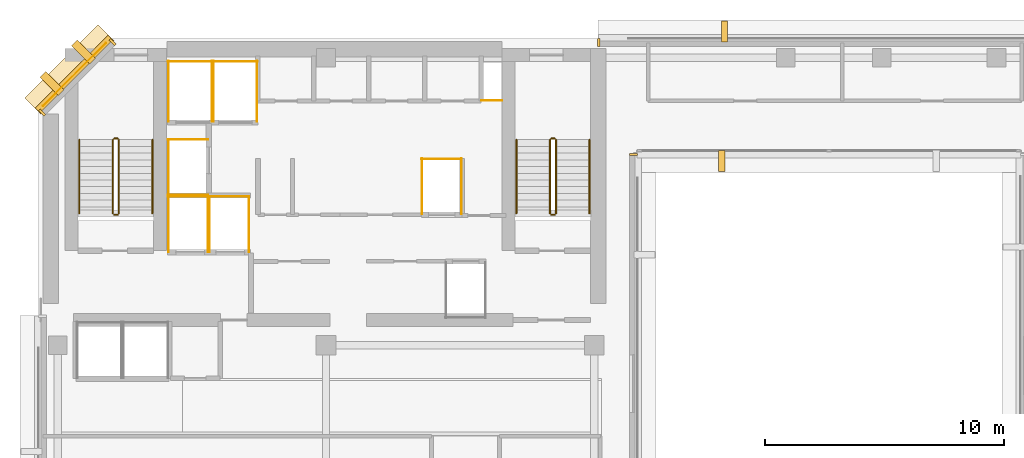
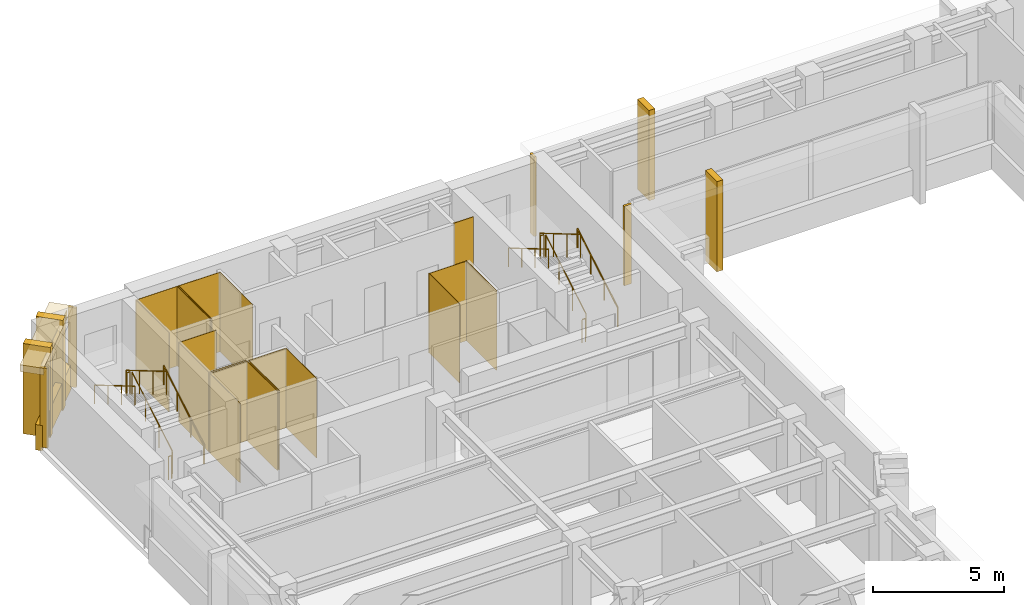
# One storey, part 10 of 11: 30 coverings, 12 railings.
"""IFC4 building model written with IfcOpenShell, lengths in metres."""

from ifc_helpers import new_model, si_unit, direction, frame, origin, origin_2d, place, context, subcontext, project, spatial, polyline, rectangle, circle, outline, extrude, material, layer, layer_set, type_object, element, save


model = new_model("IFC4")

# Units and contexts
model_context = context("Model", 3, precision=1e-05, world=origin(), true_north=direction((0.0, 1.0)))
body_context = subcontext(model_context, "Body", "Model", "MODEL_VIEW")
ifc_project = project(units=[si_unit("LENGTHUNIT", "METRE"), si_unit("AREAUNIT", "SQUARE_METRE"), si_unit("VOLUMEUNIT", "CUBIC_METRE"), si_unit("PLANEANGLEUNIT", "RADIAN"), si_unit("MASSUNIT", "GRAM", prefix="KILO")], contexts=[model_context])

# Site, building, storey
site_placement = place(None, origin())
site = spatial("IfcSite", under=ifc_project, at=site_placement, CompositionType="ELEMENT")
building_placement = place(site_placement, origin())
building = spatial("IfcBuilding", under=site, at=building_placement, Name="Kefirva Bronze Tower", CompositionType="ELEMENT")
storey_placement = place(building_placement, frame((0.0, 0.0, 227.699951171875)))
storey = spatial("IfcBuildingStorey", under=building, at=storey_placement, Name="L55", CompositionType="ELEMENT", Elevation=227.699951171875)

# Coverings
ifc_material_1 = material(Name="Bronze anodised aluminium", Category="aluminium")
ifc_layer_1 = layer(ifc_material_1, 0.02001953125, Name="Bronze anodised aluminium")
ifc_layer_set_1 = layer_set([ifc_layer_1], Name="Bronze anodised aluminium")
covering_type_1 = type_object("IfcCoveringType", Name="Anodised Bronze Spandrel Cladding 20mm", PredefinedType="CLADDING", material=ifc_layer_set_1)
for number, where, z_axis, x_axis, name in (
    (1, (24.840087890625, 41.1650390625, 0.0), (0.0, 0.0, 1.0), (0.0, 1.0, 0.0), "L55 Facade Joint Closure Panel 4E"),
    (2, (23.385009765625, 45.840087890625, 0.0), (0.0, 0.0, 1.0), (-1.0, 0.0, 0.0), "L55 Facade Joint Closure Panel 11E"),
):
    element("IfcCovering", number, at=place(storey_placement, frame(where, z_axis=z_axis, x_axis=x_axis)), inside=storey, type_object=covering_type_1, Name=name, PredefinedType="CLADDING", context=body_context, shape_type="SweptSolid", body=[
        extrude(rectangle(XDim=0.10009765625, YDim=0.320068359375, at=origin_2d()), origin(), (0.0, 0.0, 1.0), 3.7099609375),
    ])
covering_1_placement = place(storey_placement, frame((1.492919921875, 44.507080078125, 3.2900390625), z_axis=(0.0, 0.0, 1.0), x_axis=(-0.707106781187, -0.707106781187, 0.0)))
element("IfcCovering", 3, at=covering_1_placement, inside=storey, type_object=covering_type_1, Name="L55 Bronze Spandrel Cladding 12", PredefinedType="CLADDING", context=body_context, shape_type="SweptSolid", body=[
    extrude(rectangle(XDim=3.719482421875, YDim=0.02001953125, at=origin_2d()), origin(), (0.0, 0.0, 1.0), 0.39990234375),
])
for number, where, z_axis, x_axis, name in (
    (4, (3.08837890625, 45.862060546875, 0.0), (0.0, 0.0, 1.0), (-0.707106781187, -0.707106781187, 0.0), "L55 Facade Joint Closure Panel 12S"),
    (5, (0.137939453125, 42.91162109375, 0.0), (0.0, 0.0, 1.0), (-0.707106781187, -0.707106781187, 0.0), "L55 Facade Joint Closure Panel 12E"),
):
    element("IfcCovering", number, at=place(storey_placement, frame(where, z_axis=z_axis, x_axis=x_axis)), inside=storey, type_object=covering_type_1, Name=name, PredefinedType="CLADDING", context=body_context, shape_type="SweptSolid", body=[
        extrude(rectangle(XDim=0.10009765625, YDim=0.320068359375, at=origin_2d()), origin(), (0.0, 0.0, 1.0), 3.7099609375),
    ])
covering_2_placement = place(storey_placement, frame((1.4716796875, 44.5283203125, -0.16015625), z_axis=(0.0, 0.0, 1.0), x_axis=(-0.707106781187, -0.707106781187, 0.0)))
element("IfcCovering", 6, at=covering_2_placement, inside=storey, type_object=covering_type_1, Name="L55 Streamline Horizontal Spandrel Band 14", PredefinedType="CLADDING", context=body_context, shape_type="SweptSolid", body=[
    extrude(rectangle(XDim=4.28271484375, YDim=0.280029296875, at=origin_2d()), origin(), (0.0, 0.0, 1.0), 1.179931640625),
])
covering_3_placement = place(storey_placement, origin())
element("IfcCovering", 7, at=covering_3_placement, inside=storey, type_object=covering_type_1, Name="L55 Lift FF1 Hoistway Liner N", PredefinedType="CLADDING", context=body_context, shape_type="SweptSolid", body=[
    extrude(outline(polyline([(5.39990234375, 39.389892578125), (7.080078125, 39.389892578125), (7.080078125, 39.409912109375), (5.39990234375, 39.409912109375), (5.39990234375, 39.389892578125)])), origin(), (0.0, 0.0, 1.0), 3.7099609375),
])
covering_4_placement = place(storey_placement, origin())
element("IfcCovering", 8, at=covering_4_placement, inside=storey, type_object=covering_type_1, Name="L55 Lift FF1 Hoistway Liner W", PredefinedType="CLADDING", context=body_context, shape_type="SweptSolid", body=[
    extrude(outline(polyline([(5.409912109375, 37.080078125), (5.429931640625, 37.080078125), (5.429931640625, 39.419921875), (5.409912109375, 39.419921875), (5.409912109375, 37.080078125)])), origin(), (0.0, 0.0, 1.0), 3.7099609375),
])
covering_5_placement = place(storey_placement, origin())
element("IfcCovering", 9, at=covering_5_placement, inside=storey, type_object=covering_type_1, Name="L55 Lift FF1 Hoistway Liner E", PredefinedType="CLADDING", context=body_context, shape_type="SweptSolid", body=[
    extrude(outline(polyline([(7.050048828125, 37.080078125), (7.070068359375, 37.080078125), (7.070068359375, 39.419921875), (7.050048828125, 39.419921875), (7.050048828125, 37.080078125)])), origin(), (0.0, 0.0, 1.0), 3.7099609375),
])
covering_6_placement = place(storey_placement, origin())
element("IfcCovering", 10, at=covering_6_placement, inside=storey, type_object=covering_type_1, Name="L55 Lift FF2 Hoistway Liner N", PredefinedType="CLADDING", context=body_context, shape_type="SweptSolid", body=[
    extrude(outline(polyline([(7.1201171875, 39.389892578125), (8.800048828125, 39.389892578125), (8.800048828125, 39.409912109375), (7.1201171875, 39.409912109375), (7.1201171875, 39.389892578125)])), origin(), (0.0, 0.0, 1.0), 3.7099609375),
])
covering_7_placement = place(storey_placement, origin())
element("IfcCovering", 11, at=covering_7_placement, inside=storey, type_object=covering_type_1, Name="L55 Lift FF2 Hoistway Liner W", PredefinedType="CLADDING", context=body_context, shape_type="SweptSolid", body=[
    extrude(outline(polyline([(7.1298828125, 37.080078125), (7.14990234375, 37.080078125), (7.14990234375, 39.419921875), (7.1298828125, 39.419921875), (7.1298828125, 37.080078125)])), origin(), (0.0, 0.0, 1.0), 3.7099609375),
])
covering_8_placement = place(storey_placement, origin())
element("IfcCovering", 12, at=covering_8_placement, inside=storey, type_object=covering_type_1, Name="L55 Lift FF2 Hoistway Liner E", PredefinedType="CLADDING", context=body_context, shape_type="SweptSolid", body=[
    extrude(outline(polyline([(8.77001953125, 37.080078125), (8.7900390625, 37.080078125), (8.7900390625, 39.419921875), (8.77001953125, 39.419921875), (8.77001953125, 37.080078125)])), origin(), (0.0, 0.0, 1.0), 3.7099609375),
])
covering_9_placement = place(storey_placement, origin())
element("IfcCovering", 13, at=covering_9_placement, inside=storey, type_object=covering_type_1, Name="L55 Lift SV1 Hoistway Liner N", PredefinedType="CLADDING", context=body_context, shape_type="SweptSolid", body=[
    extrude(outline(polyline([(5.39990234375, 45.0400390625), (7.260009765625, 45.0400390625), (7.260009765625, 45.06005859375), (5.39990234375, 45.06005859375), (5.39990234375, 45.0400390625)])), origin(), (0.0, 0.0, 1.0), 3.7099609375),
])
covering_10_placement = place(storey_placement, origin())
element("IfcCovering", 14, at=covering_10_placement, inside=storey, type_object=covering_type_1, Name="L55 Lift SV1 Hoistway Liner W", PredefinedType="CLADDING", context=body_context, shape_type="SweptSolid", body=[
    extrude(outline(polyline([(5.409912109375, 42.530029296875), (5.429931640625, 42.530029296875), (5.429931640625, 45.070068359375), (5.409912109375, 45.070068359375), (5.409912109375, 42.530029296875)])), origin(), (0.0, 0.0, 1.0), 3.7099609375),
])
covering_11_placement = place(storey_placement, origin())
element("IfcCovering", 15, at=covering_11_placement, inside=storey, type_object=covering_type_1, Name="L55 Lift SV1 Hoistway Liner E", PredefinedType="CLADDING", context=body_context, shape_type="SweptSolid", body=[
    extrude(outline(polyline([(7.22998046875, 42.530029296875), (7.25, 42.530029296875), (7.25, 45.070068359375), (7.22998046875, 45.070068359375), (7.22998046875, 42.530029296875)])), origin(), (0.0, 0.0, 1.0), 3.7099609375),
])
covering_12_placement = place(storey_placement, origin())
element("IfcCovering", 16, at=covering_12_placement, inside=storey, type_object=covering_type_1, Name="L55 Lift SV2 Hoistway Liner N", PredefinedType="CLADDING", context=body_context, shape_type="SweptSolid", body=[
    extrude(outline(polyline([(7.280029296875, 45.0400390625), (9.139892578125, 45.0400390625), (9.139892578125, 45.06005859375), (7.280029296875, 45.06005859375), (7.280029296875, 45.0400390625)])), origin(), (0.0, 0.0, 1.0), 3.7099609375),
])
covering_13_placement = place(storey_placement, origin())
element("IfcCovering", 17, at=covering_13_placement, inside=storey, type_object=covering_type_1, Name="L55 Lift SV2 Hoistway Liner W", PredefinedType="CLADDING", context=body_context, shape_type="SweptSolid", body=[
    extrude(outline(polyline([(7.2900390625, 42.530029296875), (7.31005859375, 42.530029296875), (7.31005859375, 45.070068359375), (7.2900390625, 45.070068359375), (7.2900390625, 42.530029296875)])), origin(), (0.0, 0.0, 1.0), 3.7099609375),
])
covering_14_placement = place(storey_placement, origin())
element("IfcCovering", 18, at=covering_14_placement, inside=storey, type_object=covering_type_1, Name="L55 Lift SV2 Hoistway Liner E", PredefinedType="CLADDING", context=body_context, shape_type="SweptSolid", body=[
    extrude(outline(polyline([(9.110107421875, 42.530029296875), (9.1298828125, 42.530029296875), (9.1298828125, 45.070068359375), (9.110107421875, 45.070068359375), (9.110107421875, 42.530029296875)])), origin(), (0.0, 0.0, 1.0), 3.7099609375),
])
covering_15_placement = place(storey_placement, origin())
element("IfcCovering", 19, at=covering_15_placement, inside=storey, type_object=covering_type_1, Name="L55 Lift HP2 Hoistway Liner N", PredefinedType="CLADDING", context=body_context, shape_type="SweptSolid", body=[
    extrude(outline(polyline([(15.97998046875, 40.969970703125), (17.669921875, 40.969970703125), (17.669921875, 40.989990234375), (15.97998046875, 40.989990234375), (15.97998046875, 40.969970703125)])), origin(), (0.0, 0.0, 1.0), 3.7099609375),
])
covering_16_placement = place(storey_placement, origin())
element("IfcCovering", 20, at=covering_16_placement, inside=storey, type_object=covering_type_1, Name="L55 Lift HP2 Hoistway Liner W", PredefinedType="CLADDING", context=body_context, shape_type="SweptSolid", body=[
    extrude(outline(polyline([(15.989990234375, 38.659912109375), (16.010009765625, 38.659912109375), (16.010009765625, 41.0), (15.989990234375, 41.0), (15.989990234375, 38.659912109375)])), origin(), (0.0, 0.0, 1.0), 3.7099609375),
])
covering_17_placement = place(storey_placement, origin())
element("IfcCovering", 21, at=covering_17_placement, inside=storey, type_object=covering_type_1, Name="L55 Lift HP2 Hoistway Liner E", PredefinedType="CLADDING", context=body_context, shape_type="SweptSolid", body=[
    extrude(outline(polyline([(17.639892578125, 38.659912109375), (17.659912109375, 38.659912109375), (17.659912109375, 41.0), (17.639892578125, 41.0), (17.639892578125, 38.659912109375)])), origin(), (0.0, 0.0, 1.0), 3.7099609375),
])
covering_18_placement = place(storey_placement, origin())
element("IfcCovering", 22, at=covering_18_placement, inside=storey, type_object=covering_type_1, Name="L55 Lift HP3 Hoistway Liner N", PredefinedType="CLADDING", context=body_context, shape_type="SweptSolid", body=[
    extrude(outline(polyline([(5.39990234375, 41.77001953125), (7.080078125, 41.77001953125), (7.080078125, 41.7900390625), (5.39990234375, 41.7900390625), (5.39990234375, 41.77001953125)])), origin(), (0.0, 0.0, 1.0), 3.7099609375),
])
covering_19_placement = place(storey_placement, origin())
element("IfcCovering", 23, at=covering_19_placement, inside=storey, type_object=covering_type_1, Name="L55 Lift HP3 Hoistway Liner S", PredefinedType="CLADDING", context=body_context, shape_type="SweptSolid", body=[
    extrude(outline(polyline([(5.39990234375, 39.469970703125), (7.080078125, 39.469970703125), (7.080078125, 39.489990234375), (5.39990234375, 39.489990234375), (5.39990234375, 39.469970703125)])), origin(), (0.0, 0.0, 1.0), 3.7099609375),
])
covering_20_placement = place(storey_placement, origin())
element("IfcCovering", 24, at=covering_20_placement, inside=storey, type_object=covering_type_1, Name="L55 Lift HP3 Hoistway Liner W", PredefinedType="CLADDING", context=body_context, shape_type="SweptSolid", body=[
    extrude(outline(polyline([(5.409912109375, 39.4599609375), (5.429931640625, 39.4599609375), (5.429931640625, 41.800048828125), (5.409912109375, 41.800048828125), (5.409912109375, 39.4599609375)])), origin(), (0.0, 0.0, 1.0), 3.7099609375),
])
covering_21_placement = place(storey_placement, origin())
element("IfcCovering", 25, at=covering_21_placement, inside=storey, type_object=covering_type_1, Name="L55 Core MEP Riser Shaft Liner South", PredefinedType="CLADDING", context=body_context, shape_type="SweptSolid", body=[
    extrude(outline(polyline([(18.47998046875, 43.39990234375), (19.360107421875, 43.39990234375), (19.360107421875, 43.429931640625), (18.47998046875, 43.429931640625), (18.47998046875, 43.39990234375)])), origin(), (0.0, 0.0, 1.0), 3.7099609375),
])

# Railings
ifc_material_2 = material(Name="Stainless steel 316", Category="steel")
railing_type_1 = type_object("IfcRailingType", Name="Interior Stair Guardrail 1100mm", PredefinedType="GUARDRAIL", material=ifc_material_2)
railing_1_placement = place(storey_placement, frame((3.35009765625, 38.699951171875, 0.1650390625)))
element("IfcRailing", 26, at=railing_1_placement, inside=storey, type_object=railing_type_1, Name="L55 ST-1 stair guard 1", PredefinedType="GUARDRAIL", context=body_context, shape_type="SweptSolid", body=[
    extrude(circle(Radius=0.02392578125, at=origin_2d()), frame((0.0, 0.0, 1.076171875), z_axis=(0.0, 0.861551262678, 0.507670583921), x_axis=(-1.0, 0.0, 0.0)), (0.0, 0.0, 1.0), 3.574951171875),
    extrude(circle(Radius=0.02099609375, at=origin_2d()), origin(), (0.0, 0.0, 1.0), 1.052001953125),
    extrude(circle(Radius=0.02099609375, at=origin_2d()), frame((0.0, 1.026611328125, 0.60498046875)), (0.0, 0.0, 1.0), 1.052001953125),
    extrude(circle(Radius=0.02099609375, at=origin_2d()), frame((0.0, 2.053466796875, 1.2099609375)), (0.0, 0.0, 1.0), 1.052001953125),
    extrude(circle(Radius=0.02099609375, at=origin_2d()), frame((0.0, 3.080078125, 1.81494140625)), (0.0, 0.0, 1.0), 1.052001953125),
])
railing_2_placement = place(storey_placement, frame((3.300048828125, 41.830078125, 1.97998046875)))
element("IfcRailing", 27, at=railing_2_placement, inside=storey, type_object=railing_type_1, Name="L55 ST-1 stair guard 2", PredefinedType="GUARDRAIL", context=body_context, shape_type="SweptSolid", body=[
    extrude(circle(Radius=0.02392578125, at=origin_2d()), frame((0.0, 0.0, 1.076171875), z_axis=(-1.0, 0.0, 0.0), x_axis=(0.0, -1.0, 0.0)), (0.0, 0.0, 1.0), 0.150146484375),
    extrude(circle(Radius=0.02099609375, at=origin_2d()), origin(), (0.0, 0.0, 1.0), 1.052001953125),
    extrude(circle(Radius=0.02099609375, at=origin_2d()), frame((-0.150146484375, 0.0, 0.0)), (0.0, 0.0, 1.0), 1.052001953125),
])
railing_3_placement = place(storey_placement, frame((3.10009765625, 41.780029296875, 2.14501953125)))
element("IfcRailing", 28, at=railing_3_placement, inside=storey, type_object=railing_type_1, Name="L55 ST-1 stair guard 3", PredefinedType="GUARDRAIL", context=body_context, shape_type="SweptSolid", body=[
    extrude(circle(Radius=0.02392578125, at=origin_2d()), frame((0.0, 0.0, 1.076171875), z_axis=(0.0, -0.861551262678, 0.507670583921), x_axis=(1.0, 0.0, 0.0)), (0.0, 0.0, 1.0), 3.574951171875),
    extrude(circle(Radius=0.02099609375, at=origin_2d()), origin(), (0.0, 0.0, 1.0), 1.052001953125),
    extrude(circle(Radius=0.02099609375, at=origin_2d()), frame((0.0, -1.026611328125, 0.60498046875)), (0.0, 0.0, 1.0), 1.052001953125),
    extrude(circle(Radius=0.02099609375, at=origin_2d()), frame((0.0, -2.053466796875, 1.2099609375)), (0.0, 0.0, 1.0), 1.052001953125),
    extrude(circle(Radius=0.02099609375, at=origin_2d()), frame((0.0, -3.080078125, 1.81494140625)), (0.0, 0.0, 1.0), 1.052001953125),
])
railing_4_placement = place(storey_placement, frame((3.300048828125, 38.64990234375, 0.0)))
element("IfcRailing", 29, at=railing_4_placement, inside=storey, type_object=railing_type_1, Name="L55 ST-1 stair guard 4", PredefinedType="GUARDRAIL", context=body_context, shape_type="SweptSolid", body=[
    extrude(circle(Radius=0.02392578125, at=origin_2d()), frame((0.0, 0.0, 1.076171875), z_axis=(-1.0, 0.0, 0.0), x_axis=(0.0, -1.0, 0.0)), (0.0, 0.0, 1.0), 0.150146484375),
    extrude(circle(Radius=0.02099609375, at=origin_2d()), origin(), (0.0, 0.0, 1.0), 1.052001953125),
    extrude(circle(Radius=0.02099609375, at=origin_2d()), frame((-0.150146484375, 0.0, 0.0)), (0.0, 0.0, 1.0), 1.052001953125),
])
railing_5_placement = place(storey_placement, frame((21.60009765625, 38.699951171875, 0.1650390625)))
element("IfcRailing", 30, at=railing_5_placement, inside=storey, type_object=railing_type_1, Name="L55 ST-2 stair guard 1", PredefinedType="GUARDRAIL", context=body_context, shape_type="SweptSolid", body=[
    extrude(circle(Radius=0.02392578125, at=origin_2d()), frame((0.0, 0.0, 1.076171875), z_axis=(0.0, 0.861551262678, 0.507670583921), x_axis=(-1.0, 0.0, 0.0)), (0.0, 0.0, 1.0), 3.574951171875),
    extrude(circle(Radius=0.02099609375, at=origin_2d()), origin(), (0.0, 0.0, 1.0), 1.052001953125),
    extrude(circle(Radius=0.02099609375, at=origin_2d()), frame((0.0, 1.026611328125, 0.60498046875)), (0.0, 0.0, 1.0), 1.052001953125),
    extrude(circle(Radius=0.02099609375, at=origin_2d()), frame((0.0, 2.053466796875, 1.2099609375)), (0.0, 0.0, 1.0), 1.052001953125),
    extrude(circle(Radius=0.02099609375, at=origin_2d()), frame((0.0, 3.080078125, 1.81494140625)), (0.0, 0.0, 1.0), 1.052001953125),
])
railing_6_placement = place(storey_placement, frame((21.550048828125, 41.830078125, 1.97998046875)))
element("IfcRailing", 31, at=railing_6_placement, inside=storey, type_object=railing_type_1, Name="L55 ST-2 stair guard 2", PredefinedType="GUARDRAIL", context=body_context, shape_type="SweptSolid", body=[
    extrude(circle(Radius=0.02392578125, at=origin_2d()), frame((0.0, 0.0, 1.076171875), z_axis=(-1.0, 0.0, 0.0), x_axis=(0.0, -1.0, 0.0)), (0.0, 0.0, 1.0), 0.150146484375),
    extrude(circle(Radius=0.02099609375, at=origin_2d()), origin(), (0.0, 0.0, 1.0), 1.052001953125),
    extrude(circle(Radius=0.02099609375, at=origin_2d()), frame((-0.150146484375, 0.0, 0.0)), (0.0, 0.0, 1.0), 1.052001953125),
])
railing_7_placement = place(storey_placement, frame((21.35009765625, 41.780029296875, 2.14501953125)))
element("IfcRailing", 32, at=railing_7_placement, inside=storey, type_object=railing_type_1, Name="L55 ST-2 stair guard 3", PredefinedType="GUARDRAIL", context=body_context, shape_type="SweptSolid", body=[
    extrude(circle(Radius=0.02392578125, at=origin_2d()), frame((0.0, 0.0, 1.076171875), z_axis=(0.0, -0.861551262678, 0.507670583921), x_axis=(1.0, 0.0, 0.0)), (0.0, 0.0, 1.0), 3.574951171875),
    extrude(circle(Radius=0.02099609375, at=origin_2d()), origin(), (0.0, 0.0, 1.0), 1.052001953125),
    extrude(circle(Radius=0.02099609375, at=origin_2d()), frame((0.0, -1.026611328125, 0.60498046875)), (0.0, 0.0, 1.0), 1.052001953125),
    extrude(circle(Radius=0.02099609375, at=origin_2d()), frame((0.0, -2.053466796875, 1.2099609375)), (0.0, 0.0, 1.0), 1.052001953125),
    extrude(circle(Radius=0.02099609375, at=origin_2d()), frame((0.0, -3.080078125, 1.81494140625)), (0.0, 0.0, 1.0), 1.052001953125),
])
railing_8_placement = place(storey_placement, frame((21.550048828125, 38.64990234375, 0.0)))
element("IfcRailing", 33, at=railing_8_placement, inside=storey, type_object=railing_type_1, Name="L55 ST-2 stair guard 4", PredefinedType="GUARDRAIL", context=body_context, shape_type="SweptSolid", body=[
    extrude(circle(Radius=0.02392578125, at=origin_2d()), frame((0.0, 0.0, 1.076171875), z_axis=(-1.0, 0.0, 0.0), x_axis=(0.0, -1.0, 0.0)), (0.0, 0.0, 1.0), 0.150146484375),
    extrude(circle(Radius=0.02099609375, at=origin_2d()), origin(), (0.0, 0.0, 1.0), 1.052001953125),
    extrude(circle(Radius=0.02099609375, at=origin_2d()), frame((-0.150146484375, 0.0, 0.0)), (0.0, 0.0, 1.0), 1.052001953125),
])
railing_type_2 = type_object("IfcRailingType", Name="Stair Pitch Handrail 900mm", PredefinedType="HANDRAIL", material=ifc_material_2)
railing_9_placement = place(storey_placement, frame((4.75, 38.699951171875, 0.1650390625)))
element("IfcRailing", 34, at=railing_9_placement, inside=storey, type_object=railing_type_2, Name="L55 ST-1 stair handrail 1", PredefinedType="HANDRAIL", context=body_context, shape_type="SweptSolid", body=[
    extrude(circle(Radius=0.02392578125, at=origin_2d()), frame((0.0, 0.0, 0.8759765625), z_axis=(0.0, 0.861551262678, 0.507670583921), x_axis=(-1.0, 0.0, 0.0)), (0.0, 0.0, 1.0), 3.574951171875),
    extrude(circle(Radius=0.02099609375, at=origin_2d()), origin(), (0.0, 0.0, 1.0), 0.851806640625),
    extrude(circle(Radius=0.02099609375, at=origin_2d()), frame((0.0, 1.026611328125, 0.60498046875)), (0.0, 0.0, 1.0), 0.851806640625),
    extrude(circle(Radius=0.02099609375, at=origin_2d()), frame((0.0, 2.053466796875, 1.2099609375)), (0.0, 0.0, 1.0), 0.851806640625),
    extrude(circle(Radius=0.02099609375, at=origin_2d()), frame((0.0, 3.080078125, 1.81494140625)), (0.0, 0.0, 1.0), 0.851806640625),
])
railing_10_placement = place(storey_placement, frame((1.699951171875, 41.780029296875, 2.14501953125)))
element("IfcRailing", 35, at=railing_10_placement, inside=storey, type_object=railing_type_2, Name="L55 ST-1 stair handrail 2", PredefinedType="HANDRAIL", context=body_context, shape_type="SweptSolid", body=[
    extrude(circle(Radius=0.02392578125, at=origin_2d()), frame((0.0, 0.0, 0.8759765625), z_axis=(0.0, -0.861551262678, 0.507670583921), x_axis=(1.0, 0.0, 0.0)), (0.0, 0.0, 1.0), 3.574951171875),
    extrude(circle(Radius=0.02099609375, at=origin_2d()), origin(), (0.0, 0.0, 1.0), 0.851806640625),
    extrude(circle(Radius=0.02099609375, at=origin_2d()), frame((0.0, -1.026611328125, 0.60498046875)), (0.0, 0.0, 1.0), 0.851806640625),
    extrude(circle(Radius=0.02099609375, at=origin_2d()), frame((0.0, -2.053466796875, 1.2099609375)), (0.0, 0.0, 1.0), 0.851806640625),
    extrude(circle(Radius=0.02099609375, at=origin_2d()), frame((0.0, -3.080078125, 1.81494140625)), (0.0, 0.0, 1.0), 0.851806640625),
])
railing_11_placement = place(storey_placement, frame((23.0, 38.699951171875, 0.1650390625)))
element("IfcRailing", 36, at=railing_11_placement, inside=storey, type_object=railing_type_2, Name="L55 ST-2 stair handrail 1", PredefinedType="HANDRAIL", context=body_context, shape_type="SweptSolid", body=[
    extrude(circle(Radius=0.02392578125, at=origin_2d()), frame((0.0, 0.0, 0.8759765625), z_axis=(0.0, 0.861551262678, 0.507670583921), x_axis=(-1.0, 0.0, 0.0)), (0.0, 0.0, 1.0), 3.574951171875),
    extrude(circle(Radius=0.02099609375, at=origin_2d()), origin(), (0.0, 0.0, 1.0), 0.851806640625),
    extrude(circle(Radius=0.02099609375, at=origin_2d()), frame((0.0, 1.026611328125, 0.60498046875)), (0.0, 0.0, 1.0), 0.851806640625),
    extrude(circle(Radius=0.02099609375, at=origin_2d()), frame((0.0, 2.053466796875, 1.2099609375)), (0.0, 0.0, 1.0), 0.851806640625),
    extrude(circle(Radius=0.02099609375, at=origin_2d()), frame((0.0, 3.080078125, 1.81494140625)), (0.0, 0.0, 1.0), 0.851806640625),
])
railing_12_placement = place(storey_placement, frame((19.949951171875, 41.780029296875, 2.14501953125)))
element("IfcRailing", 37, at=railing_12_placement, inside=storey, type_object=railing_type_2, Name="L55 ST-2 stair handrail 2", PredefinedType="HANDRAIL", context=body_context, shape_type="SweptSolid", body=[
    extrude(circle(Radius=0.02392578125, at=origin_2d()), frame((0.0, 0.0, 0.8759765625), z_axis=(0.0, -0.861551262678, 0.507670583921), x_axis=(1.0, 0.0, 0.0)), (0.0, 0.0, 1.0), 3.574951171875),
    extrude(circle(Radius=0.02099609375, at=origin_2d()), origin(), (0.0, 0.0, 1.0), 0.851806640625),
    extrude(circle(Radius=0.02099609375, at=origin_2d()), frame((0.0, -1.026611328125, 0.60498046875)), (0.0, 0.0, 1.0), 0.851806640625),
    extrude(circle(Radius=0.02099609375, at=origin_2d()), frame((0.0, -2.053466796875, 1.2099609375)), (0.0, 0.0, 1.0), 0.851806640625),
    extrude(circle(Radius=0.02099609375, at=origin_2d()), frame((0.0, -3.080078125, 1.81494140625)), (0.0, 0.0, 1.0), 0.851806640625),
])

# Coverings
ifc_layer_2 = layer(ifc_material_1, 0.179931640625, Name="Bronze anodised aluminium")
ifc_layer_set_2 = layer_set([ifc_layer_2], Name="Bronze anodised aluminium")
covering_type_2 = type_object("IfcCoveringType", Name="Streamline Bronze Sunshade Eyebrow Cladding 180mm", PredefinedType="CLADDING", material=ifc_layer_set_2)
covering_22_placement = place(storey_placement, frame((1.28076171875, 44.71923828125, 3.39013671875), z_axis=(0.0, 0.0, 1.0), x_axis=(-0.707106781187, -0.707106781187, 0.0)))
element("IfcCovering", 38, at=covering_22_placement, inside=storey, type_object=covering_type_2, Name="L55 Streamline Bronze Sunshade Eyebrow 14", PredefinedType="CLADDING", context=body_context, shape_type="SweptSolid", body=[
    extrude(rectangle(XDim=4.322509765625, YDim=0.93994140625, at=origin_2d()), origin(), (0.0, 0.0, 1.0), 0.320068359375),
])
ifc_layer_3 = layer(ifc_material_1, 0.260009765625, Name="Bronze anodised aluminium")
ifc_layer_set_3 = layer_set([ifc_layer_3], Name="Bronze anodised aluminium")
covering_type_3 = type_object("IfcCoveringType", Name="Unbroken Bronze Buttress Fin Cladding 260mm", PredefinedType="CLADDING", material=ifc_layer_set_3)
for number, where, z_axis, x_axis, name in (
    (39, (28.52001953125, 40.89990234375, -0.25), (0.0, 0.0, 1.0), (1.0, 0.0, 0.0), "L55 Unbroken Vertical Bronze Rib Fin 11"),
    (40, (28.639892578125, 46.300048828125, -0.25), (0.0, 0.0, 1.0), (-1.0, 0.0, 0.0), "L55 Unbroken Vertical Bronze Rib Fin 24"),
):
    element("IfcCovering", number, at=place(storey_placement, frame(where, z_axis=z_axis, x_axis=x_axis)), inside=storey, type_object=covering_type_3, Name=name, PredefinedType="CLADDING", context=body_context, shape_type="SweptSolid", body=[
        extrude(rectangle(XDim=0.260009765625, YDim=0.8798828125, at=origin_2d()), origin(), (0.0, 0.0, 1.0), 4.2099609375),
    ])
for number, where, z_axis, x_axis, name in (
    (41, (1.877197265625, 45.44287109375, -0.25), (0.0, 0.0, 1.0), (-0.707106781187, -0.707106781187, 0.0), "L55 Chamfered Corner Buttress Fin Cladding 25"),
    (42, (0.55712890625, 44.122802734375, -0.25), (0.0, 0.0, 1.0), (-0.707106781187, -0.707106781187, 0.0), "L55 Chamfered Corner Buttress Fin Cladding 26"),
):
    element("IfcCovering", number, at=place(storey_placement, frame(where, z_axis=z_axis, x_axis=x_axis)), inside=storey, type_object=covering_type_3, Name=name, PredefinedType="CLADDING", context=body_context, shape_type="SweptSolid", body=[
        extrude(rectangle(XDim=0.340087890625, YDim=1.080078125, at=origin_2d()), origin(), (0.0, 0.0, 1.0), 4.2099609375),
    ])

save(model, "model.ifc")
